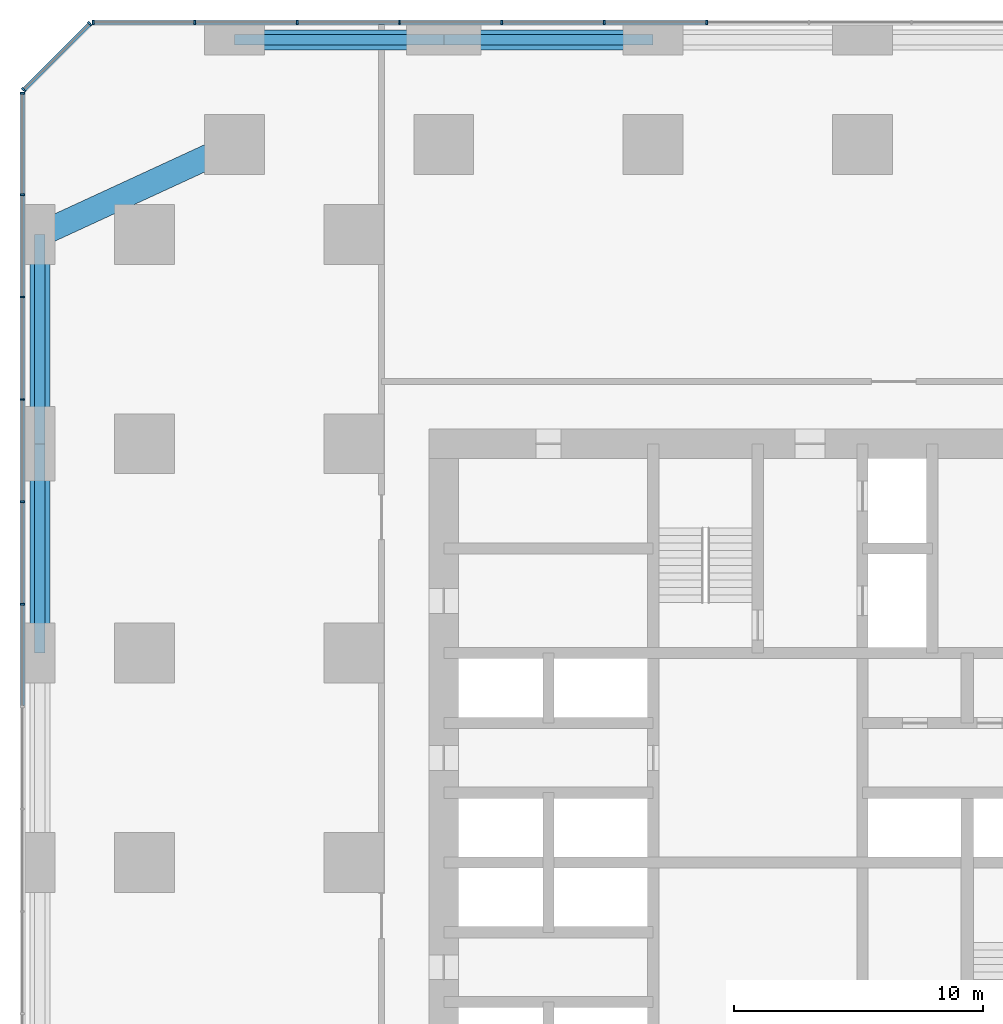
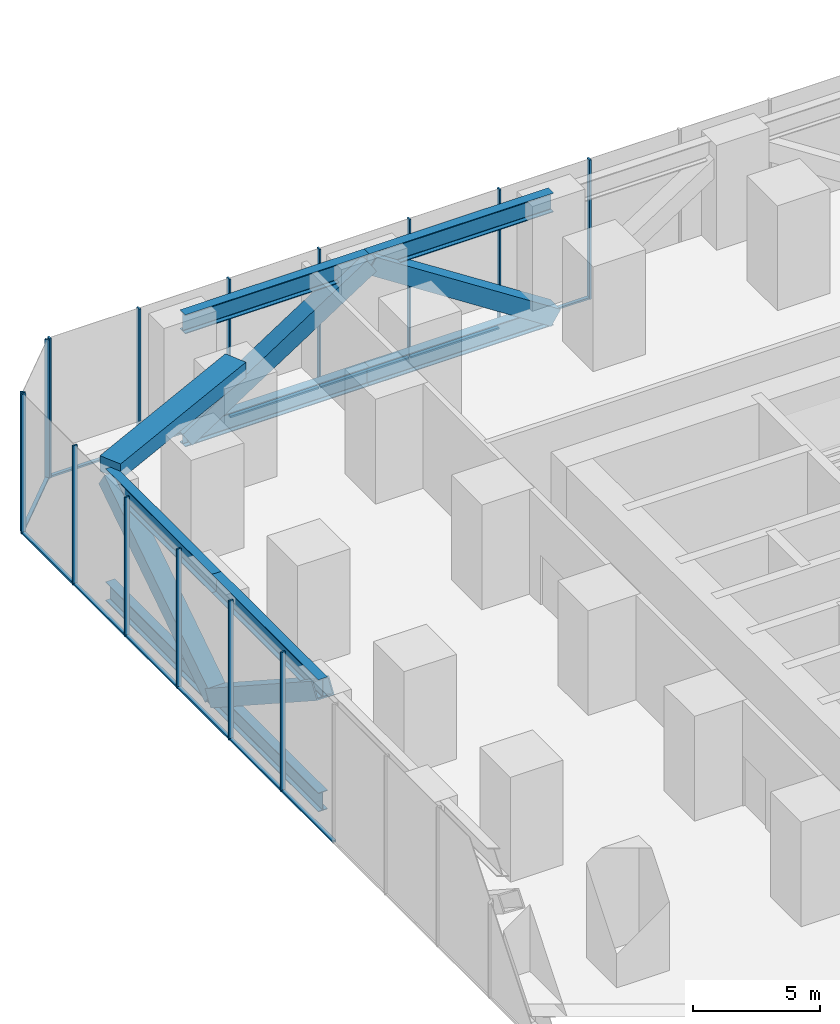
# One storey, part 5 of 11: 40 members, 1 beam, 3 elements without a shape of their own.
"""IFC4 building model written with IfcOpenShell, lengths in metres."""

from ifc_helpers import new_model, si_unit, direction, frame, origin, origin_2d, place, context, subcontext, project, spatial, rectangle, hollow_rectangle, i_section, extrude, material, material_profile, profile_set, type_object, element, aggregate, save


model = new_model("IFC4")

# Units and contexts
model_context = context("Model", 3, precision=1e-05, world=origin(), true_north=direction((0.0, 1.0)))
body_context = subcontext(model_context, "Body", "Model", "MODEL_VIEW")
ifc_project = project(units=[si_unit("LENGTHUNIT", "METRE"), si_unit("AREAUNIT", "SQUARE_METRE"), si_unit("VOLUMEUNIT", "CUBIC_METRE"), si_unit("PLANEANGLEUNIT", "RADIAN"), si_unit("MASSUNIT", "GRAM", prefix="KILO")], contexts=[model_context])

# Site, building, storey
site_placement = place(None, origin())
site = spatial("IfcSite", under=ifc_project, at=site_placement, CompositionType="ELEMENT")
building_placement = place(site_placement, origin())
building = spatial("IfcBuilding", under=site, at=building_placement, Name="Dunama Terrace Hotel", CompositionType="ELEMENT")
storey_placement = place(building_placement, frame((0.0, 0.0, 88.199951171875)))
storey = spatial("IfcBuildingStorey", under=building, at=storey_placement, Name="L22", CompositionType="ELEMENT", Elevation=88.199951171875)

# Members
ifc_material_1 = material(Name="Steel S355", Category="steel")
ifc_material_profile_1 = material_profile(ifc_material_1, hollow_rectangle(XDim=0.800048828125, YDim=0.800048828125, WallThickness=0.06005859375, at=origin_2d()), Name="BOX 800x800x60")
ifc_profile_set_1 = profile_set([ifc_material_profile_1], Name="Steel S355")
member_type_1 = type_object("IfcMemberType", Name="Brace BOX 800x800x60", PredefinedType="BRACE", material=ifc_profile_set_1)
for number, where, z_axis, x_axis, name in (
    (1, (0.60009765625, 42.0, -0.8603515625), (0.0, -0.83889900313, 0.544287114075), (1.0, 0.0, 0.0), "Belt truss diagonal L22"),
    (2, (0.60009765625, 42.0, -0.8603515625), (0.0, 0.83889900313, 0.544287114075), (-1.0, 0.0, 0.0), "Belt truss diagonal L22"),
):
    element("IfcMember", number, at=place(storey_placement, frame(where, z_axis=z_axis, x_axis=x_axis)), inside=storey, type_object=member_type_1, Name=name, PredefinedType="BRACE", context=body_context, shape_type="SweptSolid", body=[
        extrude(hollow_rectangle(XDim=0.800048828125, YDim=0.800048828125, WallThickness=0.06005859375, at=origin_2d()), origin(), (0.0, 0.0, 1.0), 10.012939453125),
    ])
member_1_placement = place(storey_placement, frame((8.39990234375, 58.199951171875, -0.8603515625), z_axis=(0.838906226141, 0.0, 0.544275981229), x_axis=(0.0, 1.0, 0.0)))
element("IfcMember", 3, at=member_1_placement, inside=storey, type_object=member_type_1, Name="Belt truss diagonal L22", PredefinedType="BRACE", context=body_context, shape_type="SweptSolid", body=[
    extrude(hollow_rectangle(XDim=0.800048828125, YDim=0.800048828125, WallThickness=0.06005859375, at=origin_2d()), origin(), (0.0, 0.0, 1.0), 10.01318359375),
])
member_2_placement = place(storey_placement, frame((25.199951171875, 58.199951171875, -0.8603515625), z_axis=(-0.83889900313, 0.0, 0.544287114075), x_axis=(0.0, -1.0, 0.0)))
element("IfcMember", 4, at=member_2_placement, inside=storey, type_object=member_type_1, Name="Belt truss diagonal L22", PredefinedType="BRACE", context=body_context, shape_type="SweptSolid", body=[
    extrude(hollow_rectangle(XDim=0.800048828125, YDim=0.800048828125, WallThickness=0.06005859375, at=origin_2d()), origin(), (0.0, 0.0, 1.0), 10.012939453125),
])

# Curtain wall, members
ifc_material_2 = material(Name="Aluminium curtain wall system", Category="aluminium")
curtain_wall_type = type_object("IfcCurtainWallType", Name="Plant floor louvred glazing CW-G", PredefinedType="NOTDEFINED", material=ifc_material_2)
curtain_wall_1_placement = place(storey_placement, origin())
curtain_wall_1 = element("IfcCurtainWall", 5, at=curtain_wall_1_placement, inside=storey, type_object=curtain_wall_type, Name="Plant floor louvred glazing CW-G L22", PredefinedType="NOTDEFINED")
ifc_material_3 = material(Name="Aluminium mullion", Category="aluminium")
ifc_material_profile_2 = material_profile(ifc_material_3, rectangle(XDim=0.074951171875, YDim=0.199951171875, at=origin_2d()), Name="CWG MULLION 75X200")
ifc_profile_set_2 = profile_set([ifc_material_profile_2], Name="Aluminium mullion")
member_type_2 = type_object("IfcMemberType", Name="CWG mullion 75x200", PredefinedType="MULLION", material=ifc_profile_set_2)
member_3_placement = place(storey_placement, frame((27.345947265625, 58.89990234375, -1.321044921875), z_axis=(0.0, 0.0, 1.0), x_axis=(-1.0, 0.0, 0.0)))
member_3 = element("IfcMember", 6, at=member_3_placement, type_object=member_type_2, Name="CWG mullion", PredefinedType="MULLION", context=body_context, shape_type="SweptSolid", body=[
    extrude(rectangle(XDim=0.074951171875, YDim=0.199951171875, at=origin_2d()), origin(), (0.0, 0.0, 1.0), 6.72119140625),
])
member_4_placement = place(storey_placement, frame((23.238037109375, 58.89990234375, -1.321044921875), z_axis=(0.0, 0.0, 1.0), x_axis=(-1.0, 0.0, 0.0)))
member_4 = element("IfcMember", 7, at=member_4_placement, type_object=member_type_2, Name="CWG mullion", PredefinedType="MULLION", context=body_context, shape_type="SweptSolid", body=[
    extrude(rectangle(XDim=0.074951171875, YDim=0.199951171875, at=origin_2d()), origin(), (0.0, 0.0, 1.0), 6.72119140625),
])
member_5_placement = place(storey_placement, frame((19.131103515625, 58.89990234375, -1.321044921875), z_axis=(0.0, 0.0, 1.0), x_axis=(-1.0, 0.0, 0.0)))
member_5 = element("IfcMember", 8, at=member_5_placement, type_object=member_type_2, Name="CWG mullion", PredefinedType="MULLION", context=body_context, shape_type="SweptSolid", body=[
    extrude(rectangle(XDim=0.074951171875, YDim=0.199951171875, at=origin_2d()), origin(), (0.0, 0.0, 1.0), 6.72119140625),
])
member_6_placement = place(storey_placement, frame((15.02294921875, 58.89990234375, -1.321044921875), z_axis=(0.0, 0.0, 1.0), x_axis=(-1.0, 0.0, 0.0)))
member_6 = element("IfcMember", 9, at=member_6_placement, type_object=member_type_2, Name="CWG mullion", PredefinedType="MULLION", context=body_context, shape_type="SweptSolid", body=[
    extrude(rectangle(XDim=0.074951171875, YDim=0.199951171875, at=origin_2d()), origin(), (0.0, 0.0, 1.0), 6.72119140625),
])
member_7_placement = place(storey_placement, frame((10.9150390625, 58.89990234375, -1.321044921875), z_axis=(0.0, 0.0, 1.0), x_axis=(-1.0, 0.0, 0.0)))
member_7 = element("IfcMember", 10, at=member_7_placement, type_object=member_type_2, Name="CWG mullion", PredefinedType="MULLION", context=body_context, shape_type="SweptSolid", body=[
    extrude(rectangle(XDim=0.074951171875, YDim=0.199951171875, at=origin_2d()), origin(), (0.0, 0.0, 1.0), 6.72119140625),
])
member_8_placement = place(storey_placement, frame((6.80810546875, 58.89990234375, -1.321044921875), z_axis=(0.0, 0.0, 1.0), x_axis=(-1.0, 0.0, 0.0)))
member_8 = element("IfcMember", 11, at=member_8_placement, type_object=member_type_2, Name="CWG mullion", PredefinedType="MULLION", context=body_context, shape_type="SweptSolid", body=[
    extrude(rectangle(XDim=0.074951171875, YDim=0.199951171875, at=origin_2d()), origin(), (0.0, 0.0, 1.0), 6.72119140625),
])
member_9_placement = place(storey_placement, frame((2.738037109375, 58.89990234375, -1.321044921875), z_axis=(0.0, 0.0, 1.0), x_axis=(-1.0, 0.0, 0.0)))
member_9 = element("IfcMember", 12, at=member_9_placement, type_object=member_type_2, Name="CWG mullion", PredefinedType="MULLION", context=body_context, shape_type="SweptSolid", body=[
    extrude(rectangle(XDim=0.074951171875, YDim=0.199951171875, at=origin_2d()), origin(), (0.0, 0.0, 1.0), 6.72119140625),
])

curtain_wall_2_placement = place(storey_placement, origin())
curtain_wall_2 = element("IfcCurtainWall", 13, at=curtain_wall_2_placement, inside=storey, type_object=curtain_wall_type, Name="Plant floor louvred glazing CW-G L22", PredefinedType="NOTDEFINED")
member_10_placement = place(storey_placement, frame((2.60302734375, 58.843994140625, -1.321044921875), z_axis=(0.0, 0.0, 1.0), x_axis=(-0.707106781187, -0.707106781187, 0.0)))
member_10 = element("IfcMember", 14, at=member_10_placement, type_object=member_type_2, Name="CWG mullion", PredefinedType="MULLION", context=body_context, shape_type="SweptSolid", body=[
    extrude(rectangle(XDim=0.074951171875, YDim=0.199951171875, at=origin_2d()), origin(), (0.0, 0.0, 1.0), 6.72119140625),
])
member_11_placement = place(storey_placement, frame((-0.0439453125, 56.197021484375, -1.321044921875), z_axis=(0.0, 0.0, 1.0), x_axis=(-0.707106781187, -0.707106781187, 0.0)))
member_11 = element("IfcMember", 15, at=member_11_placement, type_object=member_type_2, Name="CWG mullion", PredefinedType="MULLION", context=body_context, shape_type="SweptSolid", body=[
    extrude(rectangle(XDim=0.074951171875, YDim=0.199951171875, at=origin_2d()), origin(), (0.0, 0.0, 1.0), 6.72119140625),
])

curtain_wall_3_placement = place(storey_placement, origin())
curtain_wall_3 = element("IfcCurtainWall", 16, at=curtain_wall_3_placement, inside=storey, type_object=curtain_wall_type, Name="Plant floor louvred glazing CW-G L22", PredefinedType="NOTDEFINED")
member_12_placement = place(storey_placement, frame((-0.10009765625, 56.06201171875, -1.321044921875), z_axis=(0.0, 0.0, 1.0), x_axis=(0.0, -1.0, 0.0)))
member_12 = element("IfcMember", 17, at=member_12_placement, type_object=member_type_2, Name="CWG mullion", PredefinedType="MULLION", context=body_context, shape_type="SweptSolid", body=[
    extrude(rectangle(XDim=0.074951171875, YDim=0.199951171875, at=origin_2d()), origin(), (0.0, 0.0, 1.0), 6.72119140625),
])
member_13_placement = place(storey_placement, frame((-0.10009765625, 51.991943359375, -1.321044921875), z_axis=(0.0, 0.0, 1.0), x_axis=(0.0, -1.0, 0.0)))
member_13 = element("IfcMember", 18, at=member_13_placement, type_object=member_type_2, Name="CWG mullion", PredefinedType="MULLION", context=body_context, shape_type="SweptSolid", body=[
    extrude(rectangle(XDim=0.074951171875, YDim=0.199951171875, at=origin_2d()), origin(), (0.0, 0.0, 1.0), 6.72119140625),
])
member_14_placement = place(storey_placement, frame((-0.10009765625, 47.885009765625, -1.321044921875), z_axis=(0.0, 0.0, 1.0), x_axis=(0.0, -1.0, 0.0)))
member_14 = element("IfcMember", 19, at=member_14_placement, type_object=member_type_2, Name="CWG mullion", PredefinedType="MULLION", context=body_context, shape_type="SweptSolid", body=[
    extrude(rectangle(XDim=0.074951171875, YDim=0.199951171875, at=origin_2d()), origin(), (0.0, 0.0, 1.0), 6.72119140625),
])
member_15_placement = place(storey_placement, frame((-0.10009765625, 43.777099609375, -1.321044921875), z_axis=(0.0, 0.0, 1.0), x_axis=(0.0, -1.0, 0.0)))
member_15 = element("IfcMember", 20, at=member_15_placement, type_object=member_type_2, Name="CWG mullion", PredefinedType="MULLION", context=body_context, shape_type="SweptSolid", body=[
    extrude(rectangle(XDim=0.074951171875, YDim=0.199951171875, at=origin_2d()), origin(), (0.0, 0.0, 1.0), 6.72119140625),
])
member_16_placement = place(storey_placement, frame((-0.10009765625, 39.6689453125, -1.321044921875), z_axis=(0.0, 0.0, 1.0), x_axis=(0.0, -1.0, 0.0)))
member_16 = element("IfcMember", 21, at=member_16_placement, type_object=member_type_2, Name="CWG mullion", PredefinedType="MULLION", context=body_context, shape_type="SweptSolid", body=[
    extrude(rectangle(XDim=0.074951171875, YDim=0.199951171875, at=origin_2d()), origin(), (0.0, 0.0, 1.0), 6.72119140625),
])
member_17_placement = place(storey_placement, frame((-0.10009765625, 35.56201171875, -1.321044921875), z_axis=(0.0, 0.0, 1.0), x_axis=(0.0, -1.0, 0.0)))
member_17 = element("IfcMember", 22, at=member_17_placement, type_object=member_type_2, Name="CWG mullion", PredefinedType="MULLION", context=body_context, shape_type="SweptSolid", body=[
    extrude(rectangle(XDim=0.074951171875, YDim=0.199951171875, at=origin_2d()), origin(), (0.0, 0.0, 1.0), 6.72119140625),
])

# Member
ifc_material_4 = material(Name="Aluminium transom", Category="aluminium")
ifc_material_profile_3 = material_profile(ifc_material_4, rectangle(XDim=0.159912109375, YDim=0.0849609375, at=origin_2d()), Name="CWG TRANSOM 160X85")
ifc_profile_set_3 = profile_set([ifc_material_profile_3], Name="Aluminium transom")
member_type_3 = type_object("IfcMemberType", Name="CWG transom 160x85", PredefinedType="USERDEFINED", material=ifc_profile_set_3)
member_18_placement = place(storey_placement, frame((27.30908203125, 58.89990234375, -1.278564453125), z_axis=(-1.0, 0.0, 0.0), x_axis=(0.0, -1.0, 0.0)))
member_18 = element("IfcMember", 23, at=member_18_placement, type_object=member_type_3, Name="CWG transom", ObjectType="TRANSOM", PredefinedType="USERDEFINED", context=body_context, shape_type="SweptSolid", body=[
    extrude(rectangle(XDim=0.159912109375, YDim=0.0849609375, at=origin_2d()), origin(), (0.0, 0.0, 1.0), 4.033203125),
])

member_19_placement = place(storey_placement, frame((23.200927734375, 58.89990234375, -1.278564453125), z_axis=(-1.0, 0.0, 0.0), x_axis=(0.0, -1.0, 0.0)))
member_19 = element("IfcMember", 24, at=member_19_placement, type_object=member_type_3, Name="CWG transom", ObjectType="TRANSOM", PredefinedType="USERDEFINED", context=body_context, shape_type="SweptSolid", body=[
    extrude(rectangle(XDim=0.159912109375, YDim=0.0849609375, at=origin_2d()), origin(), (0.0, 0.0, 1.0), 4.032958984375),
])

member_20_placement = place(storey_placement, frame((19.093017578125, 58.89990234375, -1.278564453125), z_axis=(-1.0, 0.0, 0.0), x_axis=(0.0, -1.0, 0.0)))
member_20 = element("IfcMember", 25, at=member_20_placement, type_object=member_type_3, Name="CWG transom", ObjectType="TRANSOM", PredefinedType="USERDEFINED", context=body_context, shape_type="SweptSolid", body=[
    extrude(rectangle(XDim=0.159912109375, YDim=0.0849609375, at=origin_2d()), origin(), (0.0, 0.0, 1.0), 4.031982421875),
])

member_21_placement = place(storey_placement, frame((14.986083984375, 58.89990234375, -1.278564453125), z_axis=(-1.0, 0.0, 0.0), x_axis=(0.0, -1.0, 0.0)))
member_21 = element("IfcMember", 26, at=member_21_placement, type_object=member_type_3, Name="CWG transom", ObjectType="TRANSOM", PredefinedType="USERDEFINED", context=body_context, shape_type="SweptSolid", body=[
    extrude(rectangle(XDim=0.159912109375, YDim=0.0849609375, at=origin_2d()), origin(), (0.0, 0.0, 1.0), 4.033203125),
])

member_22_placement = place(storey_placement, frame((10.8779296875, 58.89990234375, -1.278564453125), z_axis=(-1.0, 0.0, 0.0), x_axis=(0.0, -1.0, 0.0)))
member_22 = element("IfcMember", 27, at=member_22_placement, type_object=member_type_3, Name="CWG transom", ObjectType="TRANSOM", PredefinedType="USERDEFINED", context=body_context, shape_type="SweptSolid", body=[
    extrude(rectangle(XDim=0.159912109375, YDim=0.0849609375, at=origin_2d()), origin(), (0.0, 0.0, 1.0), 4.032958984375),
])

member_23_placement = place(storey_placement, frame((6.77001953125, 58.89990234375, -1.278564453125), z_axis=(-1.0, 0.0, 0.0), x_axis=(0.0, -1.0, 0.0)))
member_23 = element("IfcMember", 28, at=member_23_placement, type_object=member_type_3, Name="CWG transom", ObjectType="TRANSOM", PredefinedType="USERDEFINED", context=body_context, shape_type="SweptSolid", body=[
    extrude(rectangle(XDim=0.159912109375, YDim=0.0849609375, at=origin_2d()), origin(), (0.0, 0.0, 1.0), 3.9951171875),
])

aggregate(curtain_wall_1, [member_3, member_4, member_5, member_6, member_7, member_8, member_9, member_18, member_19, member_20, member_21, member_22, member_23])

member_24_placement = place(storey_placement, frame((2.575927734375, 58.818115234375, -1.278564453125), z_axis=(-0.707106781187, -0.707106781187, 0.0), x_axis=(0.707106781187, -0.707106781187, 0.0)))
member_24 = element("IfcMember", 29, at=member_24_placement, type_object=member_type_3, Name="CWG transom", ObjectType="TRANSOM", PredefinedType="USERDEFINED", context=body_context, shape_type="SweptSolid", body=[
    extrude(rectangle(XDim=0.159912109375, YDim=0.0849609375, at=origin_2d()), origin(), (0.0, 0.0, 1.0), 3.66845703125),
])

aggregate(curtain_wall_2, [member_10, member_11, member_24])

member_25_placement = place(storey_placement, frame((-0.10009765625, 56.02490234375, -1.278564453125), z_axis=(0.0, -1.0, 0.0), x_axis=(1.0, 0.0, 0.0)))
member_25 = element("IfcMember", 30, at=member_25_placement, type_object=member_type_3, Name="CWG transom", ObjectType="TRANSOM", PredefinedType="USERDEFINED", context=body_context, shape_type="SweptSolid", body=[
    extrude(rectangle(XDim=0.159912109375, YDim=0.0849609375, at=origin_2d()), origin(), (0.0, 0.0, 1.0), 3.994873046875),
])

member_26_placement = place(storey_placement, frame((-0.10009765625, 51.955078125, -1.278564453125), z_axis=(0.0, -1.0, 0.0), x_axis=(1.0, 0.0, 0.0)))
member_26 = element("IfcMember", 31, at=member_26_placement, type_object=member_type_3, Name="CWG transom", ObjectType="TRANSOM", PredefinedType="USERDEFINED", context=body_context, shape_type="SweptSolid", body=[
    extrude(rectangle(XDim=0.159912109375, YDim=0.0849609375, at=origin_2d()), origin(), (0.0, 0.0, 1.0), 4.032958984375),
])

member_27_placement = place(storey_placement, frame((-0.10009765625, 47.846923828125, -1.278564453125), z_axis=(0.0, -1.0, 0.0), x_axis=(1.0, 0.0, 0.0)))
member_27 = element("IfcMember", 32, at=member_27_placement, type_object=member_type_3, Name="CWG transom", ObjectType="TRANSOM", PredefinedType="USERDEFINED", context=body_context, shape_type="SweptSolid", body=[
    extrude(rectangle(XDim=0.159912109375, YDim=0.0849609375, at=origin_2d()), origin(), (0.0, 0.0, 1.0), 4.032958984375),
])

member_28_placement = place(storey_placement, frame((-0.10009765625, 43.739013671875, -1.278564453125), z_axis=(0.0, -1.0, 0.0), x_axis=(1.0, 0.0, 0.0)))
member_28 = element("IfcMember", 33, at=member_28_placement, type_object=member_type_3, Name="CWG transom", ObjectType="TRANSOM", PredefinedType="USERDEFINED", context=body_context, shape_type="SweptSolid", body=[
    extrude(rectangle(XDim=0.159912109375, YDim=0.0849609375, at=origin_2d()), origin(), (0.0, 0.0, 1.0), 4.031982421875),
])

member_29_placement = place(storey_placement, frame((-0.10009765625, 39.632080078125, -1.278564453125), z_axis=(0.0, -1.0, 0.0), x_axis=(1.0, 0.0, 0.0)))
member_29 = element("IfcMember", 34, at=member_29_placement, type_object=member_type_3, Name="CWG transom", ObjectType="TRANSOM", PredefinedType="USERDEFINED", context=body_context, shape_type="SweptSolid", body=[
    extrude(rectangle(XDim=0.159912109375, YDim=0.0849609375, at=origin_2d()), origin(), (0.0, 0.0, 1.0), 4.032958984375),
])

member_30_placement = place(storey_placement, frame((-0.10009765625, 35.52392578125, -1.278564453125), z_axis=(0.0, -1.0, 0.0), x_axis=(1.0, 0.0, 0.0)))
member_30 = element("IfcMember", 35, at=member_30_placement, type_object=member_type_3, Name="CWG transom", ObjectType="TRANSOM", PredefinedType="USERDEFINED", context=body_context, shape_type="SweptSolid", body=[
    extrude(rectangle(XDim=0.159912109375, YDim=0.0849609375, at=origin_2d()), origin(), (0.0, 0.0, 1.0), 4.032958984375),
])

aggregate(curtain_wall_3, [member_12, member_13, member_14, member_15, member_16, member_17, member_25, member_26, member_27, member_28, member_29, member_30])

# Beam
ifc_material_5 = material(Name="Concrete C50/60", Category="concrete")
ifc_material_profile_4 = material_profile(ifc_material_5, rectangle(XDim=1.0, YDim=0.75, at=origin_2d()), Name="RC 1000x750")
ifc_profile_set_4 = profile_set([ifc_material_profile_4], Name="Concrete C50/60")
beam_type = type_object("IfcBeamType", Name="Edge beam RC 1000x750", PredefinedType="SPANDREL", material=ifc_profile_set_4)
beam_placement = place(storey_placement, frame((8.39990234375, 54.0, 5.025146484375), z_axis=(-0.907951066374, -0.419076199598, 0.0), x_axis=(0.419076199598, -0.907951066374, 0.0)))
element("IfcBeam", 36, at=beam_placement, inside=storey, type_object=beam_type, Name="Corner edge beam under L23", PredefinedType="SPANDREL", context=body_context, shape_type="SweptSolid", body=[
    extrude(rectangle(XDim=1.0, YDim=0.75, at=origin_2d()), origin(), (0.0, 0.0, 1.0), 8.590576171875),
])

# Members
ifc_material_6 = material(Name="Steel S355", Category="steel")
ifc_material_profile_5 = material_profile(ifc_material_6, i_section(OverallWidth=0.42041015625, OverallDepth=0.9208984375, WebThickness=0.021484375, FlangeThickness=0.03662109375, FilletRadius=0.024169921875, at=origin_2d()), Name="UB 914x419x388")
ifc_profile_set_5 = profile_set([ifc_material_profile_5], Name="Steel S355")
member_type_4 = type_object("IfcMemberType", Name="Truss member UB 914x419x388", PredefinedType="CHORD", material=ifc_profile_set_5)
for number, where, z_axis, x_axis, name in (
    (37, (0.60009765625, 33.60009765625, 4.589599609375), (0.0, 1.0, 0.0), (-1.0, 0.0, 0.0), "Belt truss top chord L22"),
    (38, (0.60009765625, 33.60009765625, -0.8603515625), (0.0, 1.0, 0.0), (-1.0, 0.0, 0.0), "Belt truss bottom chord L22"),
    (39, (0.60009765625, 42.0, 4.589599609375), (0.0, 1.0, 0.0), (-1.0, 0.0, 0.0), "Belt truss top chord L22"),
    (40, (0.60009765625, 42.0, -0.8603515625), (0.0, 1.0, 0.0), (-1.0, 0.0, 0.0), "Belt truss bottom chord L22"),
):
    element("IfcMember", number, at=place(storey_placement, frame(where, z_axis=z_axis, x_axis=x_axis)), inside=storey, type_object=member_type_4, Name=name, PredefinedType="CHORD", context=body_context, shape_type="SweptSolid", body=[
        extrude(i_section(OverallWidth=0.42041015625, OverallDepth=0.9208984375, WebThickness=0.021484375, FlangeThickness=0.03662109375, FilletRadius=0.024169921875, at=origin_2d()), origin(), (0.0, 0.0, 1.0), 8.39990234375),
    ])
for number, where, z_axis, x_axis, name in (
    (41, (8.39990234375, 58.199951171875, 4.589599609375), (1.0, 0.0, 0.0), (0.0, 1.0, 0.0), "Belt truss top chord L22"),
    (42, (8.39990234375, 58.199951171875, -0.8603515625), (1.0, 0.0, 0.0), (0.0, 1.0, 0.0), "Belt truss bottom chord L22"),
):
    element("IfcMember", number, at=place(storey_placement, frame(where, z_axis=z_axis, x_axis=x_axis)), inside=storey, type_object=member_type_4, Name=name, PredefinedType="CHORD", context=body_context, shape_type="SweptSolid", body=[
        extrude(i_section(OverallWidth=0.42041015625, OverallDepth=0.9208984375, WebThickness=0.021484375, FlangeThickness=0.03662109375, FilletRadius=0.024169921875, at=origin_2d()), origin(), (0.0, 0.0, 1.0), 8.400146484375),
    ])
for number, where, z_axis, x_axis, name in (
    (43, (16.800048828125, 58.199951171875, 4.589599609375), (1.0, 0.0, 0.0), (0.0, 1.0, 0.0), "Belt truss top chord L22"),
    (44, (16.800048828125, 58.199951171875, -0.8603515625), (1.0, 0.0, 0.0), (0.0, 1.0, 0.0), "Belt truss bottom chord L22"),
):
    element("IfcMember", number, at=place(storey_placement, frame(where, z_axis=z_axis, x_axis=x_axis)), inside=storey, type_object=member_type_4, Name=name, PredefinedType="CHORD", context=body_context, shape_type="SweptSolid", body=[
        extrude(i_section(OverallWidth=0.42041015625, OverallDepth=0.9208984375, WebThickness=0.021484375, FlangeThickness=0.03662109375, FilletRadius=0.024169921875, at=origin_2d()), origin(), (0.0, 0.0, 1.0), 8.39990234375),
    ])

save(model, "model.ifc")
